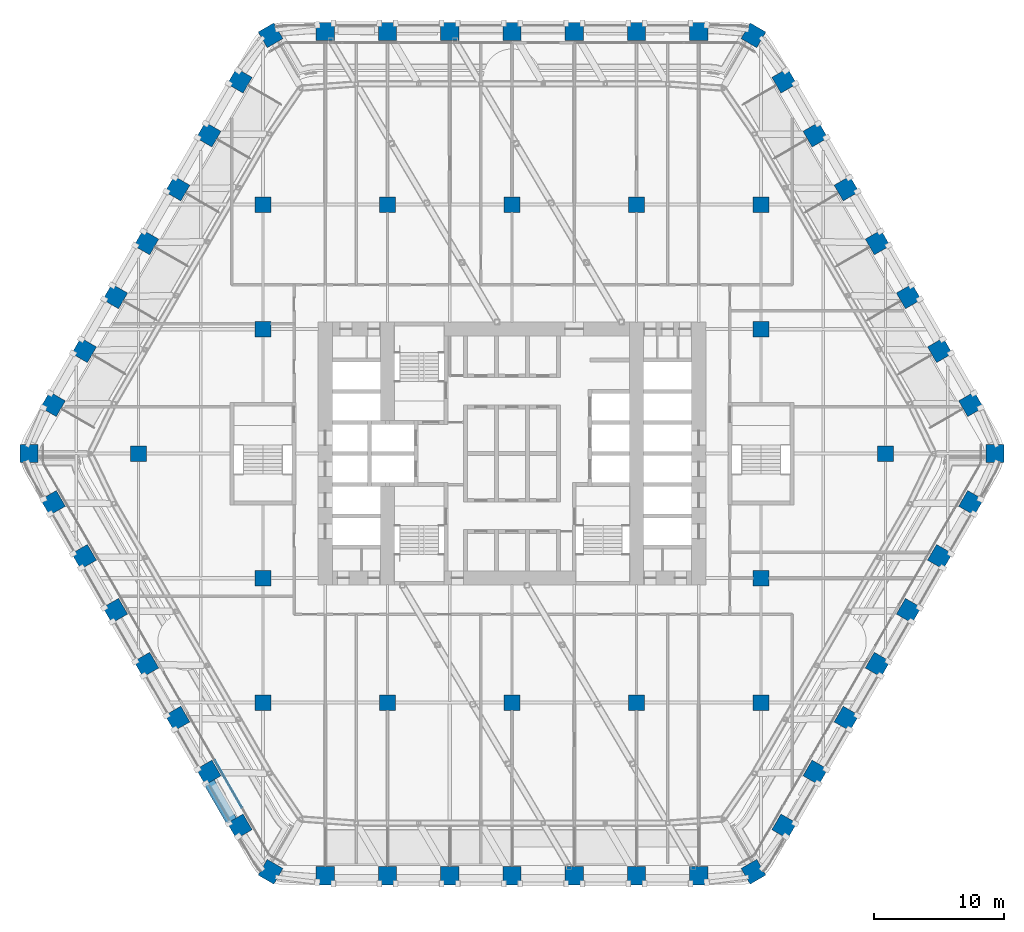
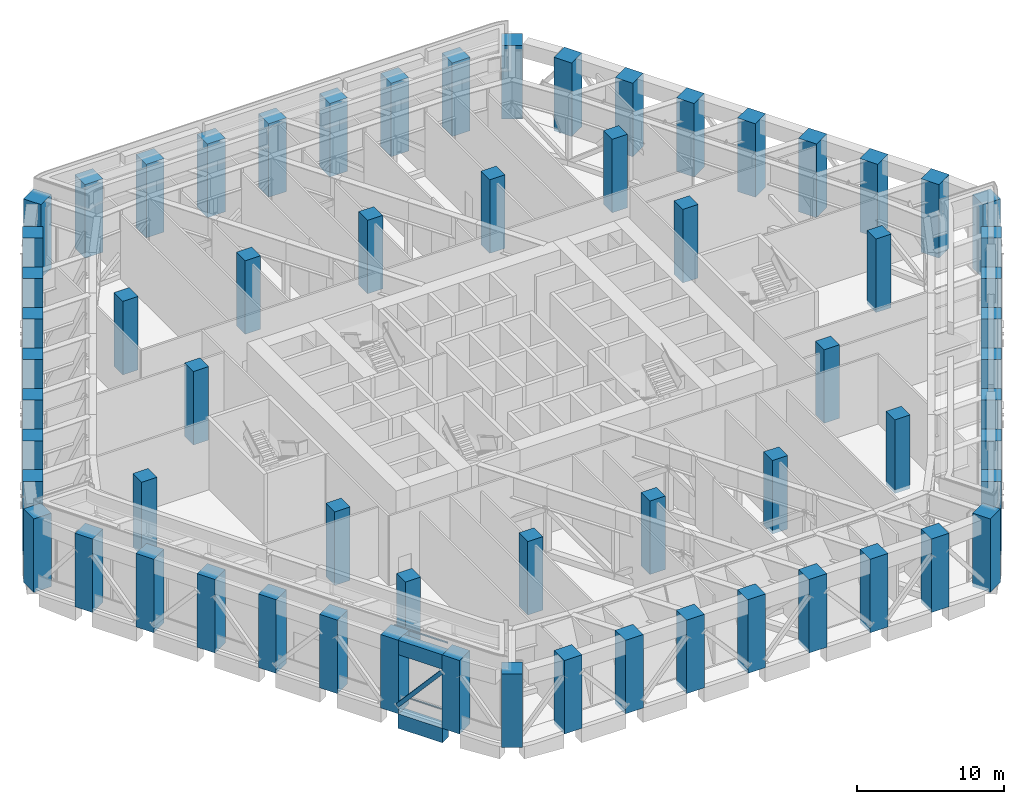
# One storey, part 1 of 35: 64 columns, 3 members, 2 beams, 1 element without a shape of its own.
"""IFC4 building model written with IfcOpenShell, lengths in metres."""

from ifc_helpers import new_model, si_unit, direction, frame, origin, origin_2d, place, context, subcontext, project, spatial, rectangle, hollow_rectangle, extrude, material, material_profile, profile_set, type_object, element, aggregate, save


model = new_model("IFC4")

# Units and contexts
model_context = context("Model", 3, precision=1e-05, world=origin(), true_north=direction((0.0, 1.0)))
body_context = subcontext(model_context, "Body", "Model", "MODEL_VIEW")
ifc_project = project(units=[si_unit("LENGTHUNIT", "METRE"), si_unit("AREAUNIT", "SQUARE_METRE"), si_unit("VOLUMEUNIT", "CUBIC_METRE"), si_unit("PLANEANGLEUNIT", "RADIAN"), si_unit("MASSUNIT", "GRAM", prefix="KILO")], contexts=[model_context])

# Site, building, storey
site_placement = place(None, origin())
site = spatial("IfcSite", under=ifc_project, at=site_placement, CompositionType="ELEMENT")
building_placement = place(site_placement, origin())
building = spatial("IfcBuilding", under=site, at=building_placement, Name="Kolab Exchange Tower", CompositionType="ELEMENT")
storey_placement = place(building_placement, frame((0.0, 0.0, 71.89990234375)))
storey = spatial("IfcBuildingStorey", under=building, at=storey_placement, Name="L13", CompositionType="ELEMENT", Elevation=71.89990234375)

# Columns
ifc_material_1 = material(Name="Concrete C80/95", Category="concrete")
ifc_material_profile_1 = material_profile(ifc_material_1, rectangle(XDim=1.199951171875, YDim=1.199951171875, at=origin_2d()), Name="RC1200")
ifc_profile_set_1 = profile_set([ifc_material_profile_1], Name="Concrete C80/95")
column_type_1 = type_object("IfcColumnType", Name="INTERIOR COLUMN 1200 SQ C80/95", PredefinedType="COLUMN", material=ifc_profile_set_1)
for number, where, z_axis, x_axis, name in (
    (1, (-28.800048828125, 0.0, -0.2998046875), (0.0, 0.0, 1.0), (1.0, 0.0, 0.0), "col/L13/I-G11"),
    (2, (-19.199951171875, -19.199951171875, -0.2998046875), (0.0, 0.0, 1.0), (1.0, 0.0, 0.0), "col/L13/I-I7"),
    (3, (-19.199951171875, -9.60009765625, -0.2998046875), (0.0, 0.0, 1.0), (1.0, 0.0, 0.0), "col/L13/I-I9"),
    (4, (-19.199951171875, 9.60009765625, -0.2998046875), (0.0, 0.0, 1.0), (1.0, 0.0, 0.0), "col/L13/I-I13"),
    (5, (-19.199951171875, 19.199951171875, -0.2998046875), (0.0, 0.0, 1.0), (1.0, 0.0, 0.0), "col/L13/I-I15"),
    (6, (-9.60009765625, -19.199951171875, -0.2998046875), (0.0, 0.0, 1.0), (1.0, 0.0, 0.0), "col/L13/I-K7"),
    (7, (-9.60009765625, 19.199951171875, -0.2998046875), (0.0, 0.0, 1.0), (1.0, 0.0, 0.0), "col/L13/I-K15"),
    (8, (0.0, -19.199951171875, -0.2998046875), (0.0, 0.0, 1.0), (1.0, 0.0, 0.0), "col/L13/I-M7"),
    (9, (0.0, 19.199951171875, -0.2998046875), (0.0, 0.0, 1.0), (1.0, 0.0, 0.0), "col/L13/I-M15"),
    (10, (9.60009765625, -19.199951171875, -0.2998046875), (0.0, 0.0, 1.0), (1.0, 0.0, 0.0), "col/L13/I-O7"),
    (11, (9.60009765625, 19.199951171875, -0.2998046875), (0.0, 0.0, 1.0), (1.0, 0.0, 0.0), "col/L13/I-O15"),
    (12, (19.199951171875, -19.199951171875, -0.2998046875), (0.0, 0.0, 1.0), (1.0, 0.0, 0.0), "col/L13/I-Q7"),
    (13, (19.199951171875, -9.60009765625, -0.2998046875), (0.0, 0.0, 1.0), (1.0, 0.0, 0.0), "col/L13/I-Q9"),
    (14, (19.199951171875, 9.60009765625, -0.2998046875), (0.0, 0.0, 1.0), (1.0, 0.0, 0.0), "col/L13/I-Q13"),
    (15, (19.199951171875, 19.199951171875, -0.2998046875), (0.0, 0.0, 1.0), (1.0, 0.0, 0.0), "col/L13/I-Q15"),
    (16, (28.800048828125, 0.0, -0.2998046875), (0.0, 0.0, 1.0), (1.0, 0.0, 0.0), "col/L13/I-S11"),
):
    element("IfcColumn", number, at=place(storey_placement, frame(where, z_axis=z_axis, x_axis=x_axis)), inside=storey, type_object=column_type_1, Name=name, PredefinedType="COLUMN", context=body_context, shape_type="SweptSolid", body=[
        extrude(rectangle(XDim=1.199951171875, YDim=1.199951171875, at=origin_2d()), origin(), (0.0, 0.0, 1.0), 6.099853515625),
    ])
ifc_material_profile_2 = material_profile(ifc_material_1, rectangle(XDim=1.39990234375, YDim=1.39990234375, at=origin_2d()), Name="RC1400")
ifc_profile_set_2 = profile_set([ifc_material_profile_2], Name="Concrete C80/95")
column_type_2 = type_object("IfcColumnType", Name="PERIMETER COLUMN 1400 SQ C80/95", PredefinedType="COLUMN", material=ifc_profile_set_2)
for number, where, z_axis, x_axis, name in (
    (17, (-18.617919921875, 32.247314453125, -0.2998046875), (0.0, 0.0, 1.0), (0.866025403784, 0.5, 0.0), "col/L13/F1-01"),
    (18, (-14.39990234375, 32.555419921875, -0.2998046875), (0.0, 0.0, 1.0), (1.0, 0.0, 0.0), "col/L13/F1-02"),
    (19, (-9.60009765625, 32.555419921875, -0.2998046875), (0.0, 0.0, 1.0), (1.0, 0.0, 0.0), "col/L13/F1-03"),
    (20, (-4.800048828125, 32.555419921875, -0.2998046875), (0.0, 0.0, 1.0), (1.0, 0.0, 0.0), "col/L13/F1-04"),
    (21, (0.0, 32.555419921875, -0.2998046875), (0.0, 0.0, 1.0), (1.0, 0.0, 0.0), "col/L13/F1-05"),
    (22, (4.800048828125, 32.555419921875, -0.2998046875), (0.0, 0.0, 1.0), (1.0, 0.0, 0.0), "col/L13/F1-06"),
    (23, (9.60009765625, 32.555419921875, -0.2998046875), (0.0, 0.0, 1.0), (1.0, 0.0, 0.0), "col/L13/F1-07"),
    (24, (14.39990234375, 32.555419921875, -0.2998046875), (0.0, 0.0, 1.0), (1.0, 0.0, 0.0), "col/L13/F1-08"),
    (25, (18.617919921875, 32.247314453125, -0.2998046875), (0.0, 0.0, 1.0), (0.5, 0.866025403784, 0.0), "col/L13/F2-01"),
    (26, (20.993896484375, 28.74853515625, -0.2998046875), (0.0, 0.0, 1.0), (0.866025403784, 0.5, 0.0), "col/L13/F2-02"),
    (27, (23.393798828125, 24.591552734375, -0.2998046875), (0.0, 0.0, 1.0), (0.866025403784, 0.5, 0.0), "col/L13/F2-03"),
    (28, (25.793701171875, 20.4345703125, -0.2998046875), (0.0, 0.0, 1.0), (0.866025403784, 0.5, 0.0), "col/L13/F2-04"),
    (29, (28.19384765625, 16.277587890625, -0.2998046875), (0.0, 0.0, 1.0), (0.866025403784, 0.5, 0.0), "col/L13/F2-05"),
    (30, (30.59375, 12.120849609375, -0.2998046875), (0.0, 0.0, 1.0), (0.866025403784, 0.5, 0.0), "col/L13/F2-06"),
    (31, (32.993896484375, 7.9638671875, -0.2998046875), (0.0, 0.0, 1.0), (0.866025403784, 0.5, 0.0), "col/L13/F2-07"),
    (32, (35.393798828125, 3.806884765625, -0.2998046875), (0.0, 0.0, 1.0), (0.866025403784, 0.5, 0.0), "col/L13/F2-08"),
    (33, (37.23583984375, 0.0, -0.2998046875), (0.0, 0.0, 1.0), (1.0, 0.0, 0.0), "col/L13/F3-01"),
    (34, (35.393798828125, -3.806884765625, -0.2998046875), (0.0, 0.0, 1.0), (0.5, 0.866025403784, 0.0), "col/L13/F3-02"),
    (35, (32.993896484375, -7.9638671875, -0.2998046875), (0.0, 0.0, 1.0), (0.5, 0.866025403784, 0.0), "col/L13/F3-03"),
    (36, (30.59375, -12.120849609375, -0.2998046875), (0.0, 0.0, 1.0), (0.5, 0.866025403784, 0.0), "col/L13/F3-04"),
    (37, (28.19384765625, -16.277587890625, -0.2998046875), (0.0, 0.0, 1.0), (0.5, 0.866025403784, 0.0), "col/L13/F3-05"),
    (38, (25.793701171875, -20.4345703125, -0.2998046875), (0.0, 0.0, 1.0), (0.5, 0.866025403784, 0.0), "col/L13/F3-06"),
    (39, (23.393798828125, -24.591552734375, -0.2998046875), (0.0, 0.0, 1.0), (0.5, 0.866025403784, 0.0), "col/L13/F3-07"),
    (40, (20.993896484375, -28.74853515625, -0.2998046875), (0.0, 0.0, 1.0), (0.5, 0.866025403784, 0.0), "col/L13/F3-08"),
    (41, (18.617919921875, -32.247314453125, -0.2998046875), (0.0, 0.0, 1.0), (0.866025403784, 0.5, 0.0), "col/L13/F4-01"),
    (42, (14.39990234375, -32.555419921875, -0.2998046875), (0.0, 0.0, 1.0), (1.0, 0.0, 0.0), "col/L13/F4-02"),
    (43, (9.60009765625, -32.555419921875, -0.2998046875), (0.0, 0.0, 1.0), (1.0, 0.0, 0.0), "col/L13/F4-03"),
    (44, (4.800048828125, -32.555419921875, -0.2998046875), (0.0, 0.0, 1.0), (1.0, 0.0, 0.0), "col/L13/F4-04"),
    (45, (0.0, -32.555419921875, -0.2998046875), (0.0, 0.0, 1.0), (1.0, 0.0, 0.0), "col/L13/F4-05"),
    (46, (-4.800048828125, -32.555419921875, -0.2998046875), (0.0, 0.0, 1.0), (1.0, 0.0, 0.0), "col/L13/F4-06"),
    (47, (-9.60009765625, -32.555419921875, -0.2998046875), (0.0, 0.0, 1.0), (1.0, 0.0, 0.0), "col/L13/F4-07"),
    (48, (-14.39990234375, -32.555419921875, -0.2998046875), (0.0, 0.0, 1.0), (1.0, 0.0, 0.0), "col/L13/F4-08"),
    (49, (-18.617919921875, -32.247314453125, -0.2998046875), (0.0, 0.0, 1.0), (0.5, 0.866025403784, 0.0), "col/L13/F5-01"),
    (50, (-20.993896484375, -28.74853515625, -0.2998046875), (0.0, 0.0, 1.0), (0.866025403784, 0.5, 0.0), "col/L13/F5-02"),
    (51, (-23.393798828125, -24.591552734375, -0.2998046875), (0.0, 0.0, 1.0), (0.866025403784, 0.5, 0.0), "col/L13/F5-03"),
    (52, (-25.793701171875, -20.4345703125, -0.2998046875), (0.0, 0.0, 1.0), (0.866025403784, 0.5, 0.0), "col/L13/F5-04"),
    (53, (-28.19384765625, -16.277587890625, -0.2998046875), (0.0, 0.0, 1.0), (0.866025403784, 0.5, 0.0), "col/L13/F5-05"),
    (54, (-30.59375, -12.120849609375, -0.2998046875), (0.0, 0.0, 1.0), (0.866025403784, 0.5, 0.0), "col/L13/F5-06"),
    (55, (-32.993896484375, -7.9638671875, -0.2998046875), (0.0, 0.0, 1.0), (0.866025403784, 0.5, 0.0), "col/L13/F5-07"),
    (56, (-35.393798828125, -3.806884765625, -0.2998046875), (0.0, 0.0, 1.0), (0.866025403784, 0.5, 0.0), "col/L13/F5-08"),
    (57, (-37.23583984375, 0.0, -0.2998046875), (0.0, 0.0, 1.0), (1.0, 0.0, 0.0), "col/L13/F6-01"),
    (58, (-35.393798828125, 3.806884765625, -0.2998046875), (0.0, 0.0, 1.0), (0.5, 0.866025403784, 0.0), "col/L13/F6-02"),
    (59, (-32.993896484375, 7.9638671875, -0.2998046875), (0.0, 0.0, 1.0), (0.5, 0.866025403784, 0.0), "col/L13/F6-03"),
    (60, (-30.59375, 12.120849609375, -0.2998046875), (0.0, 0.0, 1.0), (0.5, 0.866025403784, 0.0), "col/L13/F6-04"),
    (61, (-28.19384765625, 16.277587890625, -0.2998046875), (0.0, 0.0, 1.0), (0.5, 0.866025403784, 0.0), "col/L13/F6-05"),
    (62, (-25.793701171875, 20.4345703125, -0.2998046875), (0.0, 0.0, 1.0), (0.5, 0.866025403784, 0.0), "col/L13/F6-06"),
    (63, (-23.393798828125, 24.591552734375, -0.2998046875), (0.0, 0.0, 1.0), (0.5, 0.866025403784, 0.0), "col/L13/F6-07"),
    (64, (-20.993896484375, 28.74853515625, -0.2998046875), (0.0, 0.0, 1.0), (0.5, 0.866025403784, 0.0), "col/L13/F6-08"),
):
    element("IfcColumn", number, at=place(storey_placement, frame(where, z_axis=z_axis, x_axis=x_axis)), inside=storey, type_object=column_type_2, Name=name, PredefinedType="COLUMN", context=body_context, shape_type="SweptSolid", body=[
        extrude(rectangle(XDim=1.39990234375, YDim=1.39990234375, at=origin_2d()), origin(), (0.0, 0.0, 1.0), 6.099853515625),
    ])

# Member
ifc_material_2 = material(Name="Steel S355", Category="steel")
ifc_material_profile_3 = material_profile(ifc_material_2, hollow_rectangle(XDim=0.300048828125, YDim=0.300048828125, WallThickness=0.01611328125, at=origin_2d()), Name="HSS300X300X16")
ifc_profile_set_3 = profile_set([ifc_material_profile_3], Name="Steel S355")
member_type_1 = type_object("IfcMemberType", Name="BELT TRUSS BRACE HSS300X300X16", PredefinedType="BRACE", material=ifc_profile_set_3)
member_1_placement = place(storey_placement, frame((-21.851318359375, -28.51171875, 4.4501953125), z_axis=(-0.328639455646, 0.569235883224, -0.753635599904), x_axis=(-0.866031355668, -0.499989690894, 0.0)))
element("IfcMember", 65, at=member_1_placement, inside=storey, type_object=member_type_1, Name="mem/L13/fb/F5-02", PredefinedType="BRACE", context=body_context, shape_type="SweptSolid", body=[
    extrude(hollow_rectangle(XDim=0.300048828125, YDim=0.300048828125, WallThickness=0.01611328125, at=origin_2d()), origin(), (0.0, 0.0, 1.0), 5.3740234375),
])

# Beams
ifc_material_profile_4 = material_profile(ifc_material_1, rectangle(XDim=0.800048828125, YDim=1.199951171875, at=origin_2d()), Name="RC800X1200")
ifc_profile_set_4 = profile_set([ifc_material_profile_4], Name="Concrete C80/95")
beam_type = type_object("IfcBeamType", Name="SPANDREL BEAM 800X1200 C80/95", PredefinedType="BEAM", material=ifc_profile_set_4)
for number, where, z_axis, x_axis, name in (
    (66, (-21.58349609375, -28.326904296875, -0.89990234375), (-0.499979528911, 0.866037222451, 0.0), (-0.866037222451, -0.499979528911, 0.0), "beam/L13/sp/F5-02"),
    (67, (-21.58349609375, -28.326904296875, 5.2001953125), (-0.499979528911, 0.866037222451, 0.0), (-0.866037222451, -0.499979528911, 0.0), "beam/L13/cp/F5-02"),
):
    element("IfcBeam", number, at=place(storey_placement, frame(where, z_axis=z_axis, x_axis=x_axis)), inside=storey, type_object=beam_type, Name=name, PredefinedType="BEAM", context=body_context, shape_type="SweptSolid", body=[
        extrude(rectangle(XDim=0.800048828125, YDim=1.199951171875, at=origin_2d()), origin(), (0.0, 0.0, 1.0), 3.480224609375),
    ])

# Curtain wall, members
ifc_material_3 = material(Name="Aluminium EN AW-6063 T6", Category="aluminium")
curtain_wall_type = type_object("IfcCurtainWallType", Name="UNITISED LOW ZONE BELT CURTAIN WALL", PredefinedType="NOTDEFINED", material=ifc_material_3)
curtain_wall_placement = place(storey_placement, origin())
curtain_wall = element("IfcCurtainWall", 68, at=curtain_wall_placement, inside=storey, type_object=curtain_wall_type, Name="cw/L13/F5-1", PredefinedType="NOTDEFINED")
ifc_material_profile_5 = material_profile(ifc_material_3, rectangle(XDim=0.06005859375, YDim=0.10009765625, at=origin_2d()), Name="RECT 60X100")
ifc_profile_set_5 = profile_set([ifc_material_profile_5], Name="Aluminium EN AW-6063 T6")
member_type_2 = type_object("IfcMemberType", Name="UNITISED LOW ZONE BELT TRANSOM 60 X 100", PredefinedType="USERDEFINED", material=ifc_profile_set_5)
member_2_placement = place(storey_placement, frame((-20.823974609375, -27.282470703125, 0.030029296875), z_axis=(-0.49999322259, 0.866029316688, 0.0), x_axis=(-0.866029316688, -0.49999322259, 0.0)))
member_2 = element("IfcMember", 69, at=member_2_placement, type_object=member_type_2, Name="CW9 transom 2.1", ObjectType="TRANSOM", PredefinedType="USERDEFINED", context=body_context, shape_type="SweptSolid", body=[
    extrude(rectangle(XDim=0.06005859375, YDim=0.10009765625, at=origin_2d()), origin(), (0.0, 0.0, 1.0), 4.16259765625),
])
member_3_placement = place(storey_placement, frame((-20.823974609375, -27.282470703125, 5.670166015625), z_axis=(-0.49999322259, 0.866029316688, 0.0), x_axis=(-0.866029316688, -0.49999322259, 0.0)))
member_3 = element("IfcMember", 70, at=member_3_placement, type_object=member_type_2, Name="CW9 transom 2.2", ObjectType="TRANSOM", PredefinedType="USERDEFINED", context=body_context, shape_type="SweptSolid", body=[
    extrude(rectangle(XDim=0.06005859375, YDim=0.10009765625, at=origin_2d()), origin(), (0.0, 0.0, 1.0), 4.16259765625),
])
aggregate(curtain_wall, [member_2, member_3])

save(model, "model.ifc")
